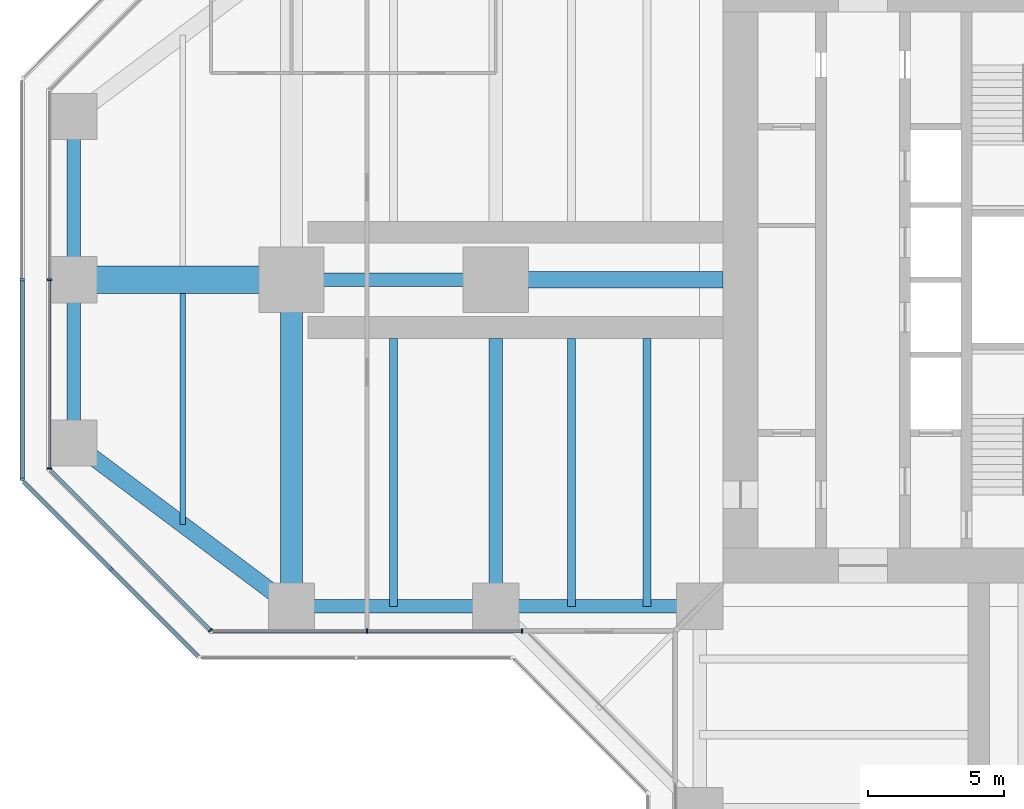
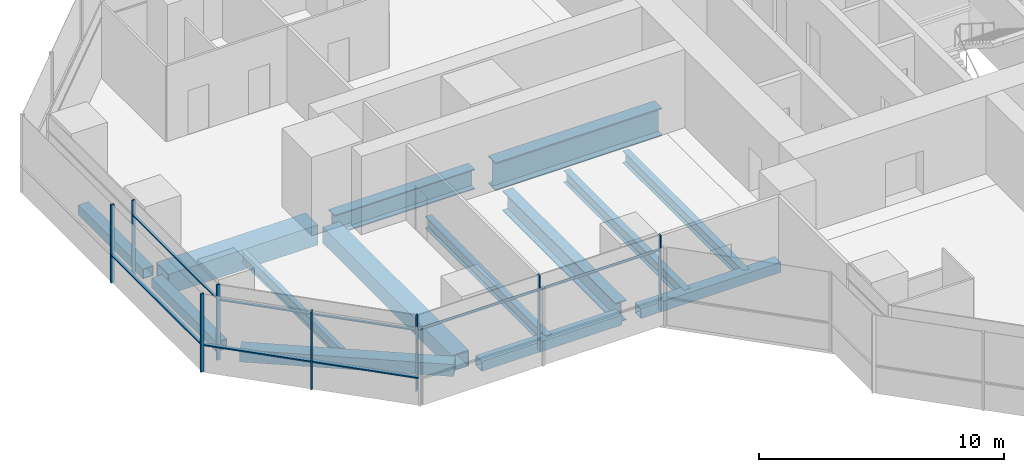
# One storey, part 3 of 19: 15 members, 14 beams, 5 elements without a shape of their own.
"""IFC4 building model written with IfcOpenShell, lengths in metres."""

from ifc_helpers import new_model, si_unit, direction, frame, origin, origin_2d, place, context, subcontext, project, spatial, rectangle, hollow_rectangle, i_section, extrude, material, material_profile, profile_set, type_object, element, aggregate, save


model = new_model("IFC4")

# Units and contexts
model_context = context("Model", 3, precision=1e-05, world=origin(), true_north=direction((0.0, 1.0)))
body_context = subcontext(model_context, "Body", "Model", "MODEL_VIEW")
ifc_project = project(units=[si_unit("LENGTHUNIT", "METRE"), si_unit("AREAUNIT", "SQUARE_METRE"), si_unit("VOLUMEUNIT", "CUBIC_METRE"), si_unit("PLANEANGLEUNIT", "RADIAN"), si_unit("MASSUNIT", "GRAM", prefix="KILO")], contexts=[model_context])

# Site, building, storey
site_placement = place(None, origin())
site = spatial("IfcSite", under=ifc_project, at=site_placement, CompositionType="ELEMENT")
building_placement = place(site_placement, origin())
building = spatial("IfcBuilding", under=site, at=building_placement, Name="Mizan Broadcast Tower", CompositionType="ELEMENT")
storey_placement = place(building_placement, frame((0.0, 0.0, 159.300048828125)))
storey = spatial("IfcBuildingStorey", under=building, at=storey_placement, Name="L36", CompositionType="ELEMENT", Elevation=159.300048828125)

# Beams
ifc_material_1 = material(Name="Steel S355", Category="steel")
ifc_material_profile_1 = material_profile(ifc_material_1, hollow_rectangle(XDim=0.5, YDim=0.5, WallThickness=0.030029296875, at=origin_2d()), Name="BOX 500x500x30")
ifc_profile_set_1 = profile_set([ifc_material_profile_1], Name="Steel S355")
beam_type_1 = type_object("IfcBeamType", Name="EDGE BEAM BOX 500x500x30", PredefinedType="SPANDREL", material=ifc_profile_set_1)
beam_1_placement = place(storey_placement, frame((-35.0, 5.639892578125, -0.380126953125), z_axis=(0.0, -1.0, 0.0), x_axis=(1.0, 0.0, 0.0)))
element("IfcBeam", 1, at=beam_1_placement, inside=storey, type_object=beam_type_1, Name="Edge beam BOX 500x500x30 L36 west arm", PredefinedType="SPANDREL", context=body_context, shape_type="SweptSolid", body=[
    extrude(hollow_rectangle(XDim=0.5, YDim=0.5, WallThickness=0.030029296875, at=origin_2d()), origin(), (0.0, 0.0, 1.0), 5.27978515625),
])
for number, where, z_axis, x_axis, name in (
    (2, (-12.449951171875, -12.0, -0.380126953125), (-1.0, 0.0, 0.0), (0.0, -1.0, 0.0), "Edge beam BOX 500x500x30 L36 west arm"),
    (3, (-19.949951171875, -12.0, -0.380126953125), (-1.0, 0.0, 0.0), (0.0, -1.0, 0.0), "Edge beam BOX 500x500x30 L36 west arm"),
):
    element("IfcBeam", number, at=place(storey_placement, frame(where, z_axis=z_axis, x_axis=x_axis)), inside=storey, type_object=beam_type_1, Name=name, PredefinedType="SPANDREL", context=body_context, shape_type="SweptSolid", body=[
        extrude(hollow_rectangle(XDim=0.5, YDim=0.5, WallThickness=0.030029296875, at=origin_2d()), origin(), (0.0, 0.0, 1.0), 6.60009765625),
    ])
beam_2_placement = place(storey_placement, frame((-35.0, -5.639892578125, -0.380126953125), z_axis=(0.0, 1.0, 0.0), x_axis=(-1.0, 0.0, 0.0)))
element("IfcBeam", 4, at=beam_2_placement, inside=storey, type_object=beam_type_1, Name="Edge beam BOX 500x500x30 L36 west arm", PredefinedType="SPANDREL", context=body_context, shape_type="SweptSolid", body=[
    extrude(hollow_rectangle(XDim=0.5, YDim=0.5, WallThickness=0.030029296875, at=origin_2d()), origin(), (0.0, 0.0, 1.0), 5.27978515625),
])
ifc_material_2 = material(Name="Steel S355", Category="steel")
ifc_material_profile_2 = material_profile(ifc_material_2, hollow_rectangle(XDim=0.60009765625, YDim=0.60009765625, WallThickness=0.030029296875, at=origin_2d()), Name="BOX 600x600x30")
ifc_profile_set_2 = profile_set([ifc_material_profile_2], Name="Steel S355")
beam_type_2 = type_object("IfcBeamType", Name="EDGE BEAM BOX 600x600x30", PredefinedType="SPANDREL", material=ifc_profile_set_2)
beam_3_placement = place(storey_placement, frame((-27.47998046875, -11.639892578125, -0.429931640625), z_axis=(-0.800013316712, 0.599982243973, 0.0), x_axis=(-0.599982243973, -0.800013316712, 0.0)))
element("IfcBeam", 5, at=beam_3_placement, inside=storey, type_object=beam_type_2, Name="Edge beam BOX 600x600x30 L36 west arm", PredefinedType="SPANDREL", context=body_context, shape_type="SweptSolid", body=[
    extrude(hollow_rectangle(XDim=0.60009765625, YDim=0.60009765625, WallThickness=0.030029296875, at=origin_2d()), origin(), (0.0, 0.0, 1.0), 8.7998046875),
])
ifc_material_3 = material(Name="Steel S460", Category="steel")
ifc_material_profile_3 = material_profile(ifc_material_3, hollow_rectangle(XDim=1.0, YDim=1.0, WallThickness=0.06005859375, at=origin_2d()), Name="BOX 1000x1000x60")
ifc_profile_set_3 = profile_set([ifc_material_profile_3], Name="Steel S460")
beam_type_3 = type_object("IfcBeamType", Name="GIRDER BOX 1000x1000x60", PredefinedType="BEAM", material=ifc_profile_set_3)
beam_4_placement = place(storey_placement, frame((-27.47998046875, 0.0, -0.630126953125), z_axis=(-1.0, 0.0, 0.0), x_axis=(0.0, -1.0, 0.0)))
element("IfcBeam", 6, at=beam_4_placement, inside=storey, type_object=beam_type_3, Name="Girder BOX 1000x1000x60 L36 west arm", PredefinedType="BEAM", context=body_context, shape_type="SweptSolid", body=[
    extrude(hollow_rectangle(XDim=1.0, YDim=1.0, WallThickness=0.06005859375, at=origin_2d()), origin(), (0.0, 0.0, 1.0), 7.0400390625),
])
ifc_material_4 = material(Name="Steel S460", Category="steel")
ifc_material_profile_4 = material_profile(ifc_material_4, hollow_rectangle(XDim=0.800048828125, YDim=0.800048828125, WallThickness=0.050048828125, at=origin_2d()), Name="BOX 800x800x50")
ifc_profile_set_4 = profile_set([ifc_material_profile_4], Name="Steel S460")
beam_type_4 = type_object("IfcBeamType", Name="GIRDER BOX 800x800x50", PredefinedType="BEAM", material=ifc_profile_set_4)
beam_5_placement = place(storey_placement, frame((-27.0, -11.280029296875, -0.530029296875), z_axis=(0.0, 1.0, 0.0), x_axis=(-1.0, 0.0, 0.0)))
element("IfcBeam", 7, at=beam_5_placement, inside=storey, type_object=beam_type_4, Name="Girder BOX 800x800x50 L36 west arm", PredefinedType="BEAM", context=body_context, shape_type="SweptSolid", body=[
    extrude(hollow_rectangle(XDim=0.800048828125, YDim=0.800048828125, WallThickness=0.050048828125, at=origin_2d()), origin(), (0.0, 0.0, 1.0), 10.56005859375),
])
ifc_material_5 = material(Name="Steel S460", Category="steel")
ifc_material_profile_5 = material_profile(ifc_material_5, i_section(OverallWidth=0.5, OverallDepth=1.0, WebThickness=0.02490234375, FlangeThickness=0.050048828125, at=origin_2d()), Name="WPG 1000x500")
ifc_profile_set_5 = profile_set([ifc_material_profile_5], Name="Steel S460")
beam_type_5 = type_object("IfcBeamType", Name="GIRDER WPG 1000x500", PredefinedType="BEAM", material=ifc_profile_set_5)
beam_6_placement = place(storey_placement, frame((-19.949951171875, 0.0, -0.630126953125), z_axis=(-1.0, 0.0, 0.0), x_axis=(0.0, -1.0, 0.0)))
element("IfcBeam", 8, at=beam_6_placement, inside=storey, type_object=beam_type_5, Name="Girder WPG 1000x500 L36 west arm", PredefinedType="BEAM", context=body_context, shape_type="SweptSolid", body=[
    extrude(i_section(OverallWidth=0.5, OverallDepth=1.0, WebThickness=0.02490234375, FlangeThickness=0.050048828125, at=origin_2d()), origin(), (0.0, 0.0, 1.0), 6.60009765625),
])
beam_7_placement = place(storey_placement, frame((-19.5, -11.408935546875, -0.630126953125), z_axis=(0.0, 1.0, 0.0), x_axis=(-1.0, 0.0, 0.0)))
element("IfcBeam", 9, at=beam_7_placement, inside=storey, type_object=beam_type_5, Name="Girder WPG 1000x500 L36 west arm", PredefinedType="BEAM", context=body_context, shape_type="SweptSolid", body=[
    extrude(i_section(OverallWidth=0.5, OverallDepth=1.0, WebThickness=0.02490234375, FlangeThickness=0.050048828125, at=origin_2d()), origin(), (0.0, 0.0, 1.0), 9.259033203125),
])
ifc_material_6 = material(Name="Steel S460", Category="steel")
ifc_material_profile_6 = material_profile(ifc_material_6, i_section(OverallWidth=0.60009765625, OverallDepth=1.39990234375, WebThickness=0.02490234375, FlangeThickness=0.06005859375, at=origin_2d()), Name="WPG 1400x600")
ifc_profile_set_6 = profile_set([ifc_material_profile_6], Name="Steel S460")
beam_type_6 = type_object("IfcBeamType", Name="GIRDER WPG 1400x600", PredefinedType="BEAM", material=ifc_profile_set_6)
beam_8_placement = place(storey_placement, frame((-11.14990234375, 0.0, -0.830078125), z_axis=(-1.0, 0.0, 0.0), x_axis=(0.0, -1.0, 0.0)))
element("IfcBeam", 10, at=beam_8_placement, inside=storey, type_object=beam_type_6, Name="Girder WPG 1400x600 L36 west arm", PredefinedType="BEAM", context=body_context, shape_type="SweptSolid", body=[
    extrude(i_section(OverallWidth=0.60009765625, OverallDepth=1.39990234375, WebThickness=0.02490234375, FlangeThickness=0.06005859375, at=origin_2d()), origin(), (0.0, 0.0, 1.0), 7.84912109375),
])

# Curtain wall, members
ifc_material_7 = material(Name="Aluminium framed glazing", Category="aluminium")
curtain_wall_type_1 = type_object("IfcCurtainWallType", Name="INNER SKIN MID ZONE", PredefinedType="USERDEFINED", material=ifc_material_7)
curtain_wall_1_placement = place(storey_placement, origin())
curtain_wall_1 = element("IfcCurtainWall", 11, at=curtain_wall_1_placement, inside=storey, type_object=curtain_wall_type_1, Name="Inner skin mid zone L36 W end", ObjectType="INNER SKIN MID ZONE", PredefinedType="USERDEFINED")
ifc_material_8 = material(Name="Aluminium, pale anodised", Category="aluminium")
ifc_material_profile_7 = material_profile(ifc_material_8, rectangle(XDim=0.159912109375, YDim=0.06005859375, at=origin_2d()), Name="MULLION 160x60")
ifc_profile_set_7 = profile_set([ifc_material_profile_7], Name="Aluminium, pale anodised")
member_type_1 = type_object("IfcMemberType", Name="INNER SKIN MULLION 60x160", PredefinedType="MULLION", material=ifc_profile_set_7)
member_1_placement = place(storey_placement, frame((-35.89990234375, 0.0, 0.0), z_axis=(0.0, 0.0, 1.0), x_axis=(1.0, 0.0, 0.0)))
member_1 = element("IfcMember", 12, at=member_1_placement, type_object=member_type_1, Name="Inner skin mid zone L36 W end mullion 2", PredefinedType="MULLION", context=body_context, shape_type="SweptSolid", body=[
    extrude(rectangle(XDim=0.159912109375, YDim=0.06005859375, at=origin_2d()), origin(), (0.0, 0.0, 1.0), 3.77001953125),
])
member_2_placement = place(storey_placement, frame((-35.89990234375, -6.928466796875, 0.0), z_axis=(0.0, 0.0, 1.0), x_axis=(1.0, 0.0, 0.0)))
member_2 = element("IfcMember", 13, at=member_2_placement, type_object=member_type_1, Name="Inner skin mid zone L36 W end mullion 3", PredefinedType="MULLION", context=body_context, shape_type="SweptSolid", body=[
    extrude(rectangle(XDim=0.159912109375, YDim=0.06005859375, at=origin_2d()), origin(), (0.0, 0.0, 1.0), 3.77001953125),
])

# Curtain wall, member
curtain_wall_2_placement = place(storey_placement, origin())
curtain_wall_2 = element("IfcCurtainWall", 14, at=curtain_wall_2_placement, inside=storey, type_object=curtain_wall_type_1, Name="Inner skin mid zone L36 W chamfer", ObjectType="INNER SKIN MID ZONE", PredefinedType="USERDEFINED")
member_3_placement = place(storey_placement, frame((-29.979736328125, -12.87890625, 0.0), z_axis=(0.0, 0.0, 1.0), x_axis=(0.707106781187, 0.707106781187, 0.0)))
member_3 = element("IfcMember", 15, at=member_3_placement, type_object=member_type_1, Name="Inner skin mid zone L36 W chamfer mullion 2", PredefinedType="MULLION", context=body_context, shape_type="SweptSolid", body=[
    extrude(rectangle(XDim=0.159912109375, YDim=0.06005859375, at=origin_2d()), origin(), (0.0, 0.0, 1.0), 3.77001953125),
])

# Curtain wall, members
curtain_wall_3_placement = place(storey_placement, origin())
curtain_wall_3 = element("IfcCurtainWall", 16, at=curtain_wall_3_placement, inside=storey, type_object=curtain_wall_type_1, Name="Inner skin mid zone L36 W side", ObjectType="INNER SKIN MID ZONE", PredefinedType="USERDEFINED")
member_4_placement = place(storey_placement, frame((-24.229248046875, -12.89990234375, 0.0), z_axis=(0.0, 0.0, 1.0), x_axis=(0.0, 1.0, 0.0)))
member_4 = element("IfcMember", 17, at=member_4_placement, type_object=member_type_1, Name="Inner skin mid zone L36 W side mullion 2", PredefinedType="MULLION", context=body_context, shape_type="SweptSolid", body=[
    extrude(rectangle(XDim=0.159912109375, YDim=0.06005859375, at=origin_2d()), origin(), (0.0, 0.0, 1.0), 3.77001953125),
])
member_5_placement = place(storey_placement, frame((-18.530029296875, -12.89990234375, 0.0), z_axis=(0.0, 0.0, 1.0), x_axis=(0.0, 1.0, 0.0)))
member_5 = element("IfcMember", 18, at=member_5_placement, type_object=member_type_1, Name="Inner skin mid zone L36 W side mullion 3", PredefinedType="MULLION", context=body_context, shape_type="SweptSolid", body=[
    extrude(rectangle(XDim=0.159912109375, YDim=0.06005859375, at=origin_2d()), origin(), (0.0, 0.0, 1.0), 3.77001953125),
])

# Member
ifc_material_9 = material(Name="Aluminium, pale anodised", Category="aluminium")
ifc_material_profile_8 = material_profile(ifc_material_9, rectangle(XDim=0.1201171875, YDim=0.06005859375, at=origin_2d()), Name="TRANSOM 120x60")
ifc_profile_set_8 = profile_set([ifc_material_profile_8], Name="Aluminium, pale anodised")
member_type_2 = type_object("IfcMemberType", Name="INNER SKIN TRANSOM 60x120", PredefinedType="USERDEFINED", material=ifc_profile_set_8)
member_6_placement = place(storey_placement, frame((-35.89990234375, -0.030029296875, 3.030029296875), z_axis=(0.0, -1.0, 0.0), x_axis=(1.0, 0.0, 0.0)))
member_6 = element("IfcMember", 19, at=member_6_placement, type_object=member_type_2, Name="Inner skin mid zone L36 W end transom 2.1", ObjectType="TRANSOM", PredefinedType="USERDEFINED", context=body_context, shape_type="SweptSolid", body=[
    extrude(rectangle(XDim=0.1201171875, YDim=0.06005859375, at=origin_2d()), origin(), (0.0, 0.0, 1.0), 6.86865234375),
])

aggregate(curtain_wall_1, [member_1, member_2, member_6])

member_7_placement = place(storey_placement, frame((-35.857666015625, -7.0009765625, 3.030029296875), z_axis=(0.707106781187, -0.707106781187, 0.0), x_axis=(0.707106781187, 0.707106781187, 0.0)))
member_7 = element("IfcMember", 20, at=member_7_placement, type_object=member_type_2, Name="Inner skin mid zone L36 W chamfer transom 1.1", ObjectType="TRANSOM", PredefinedType="USERDEFINED", context=body_context, shape_type="SweptSolid", body=[
    extrude(rectangle(XDim=0.1201171875, YDim=0.06005859375, at=origin_2d()), origin(), (0.0, 0.0, 1.0), 8.28271484375),
])

aggregate(curtain_wall_2, [member_3, member_7])

member_8_placement = place(storey_placement, frame((-29.898681640625, -12.89990234375, 3.030029296875), z_axis=(1.0, 0.0, 0.0), x_axis=(0.0, 1.0, 0.0)))
member_8 = element("IfcMember", 21, at=member_8_placement, type_object=member_type_2, Name="Inner skin mid zone L36 W side transom 1.1", ObjectType="TRANSOM", PredefinedType="USERDEFINED", context=body_context, shape_type="SweptSolid", body=[
    extrude(rectangle(XDim=0.1201171875, YDim=0.06005859375, at=origin_2d()), origin(), (0.0, 0.0, 1.0), 5.639404296875),
])

member_9_placement = place(storey_placement, frame((-24.19921875, -12.89990234375, 3.030029296875), z_axis=(1.0, 0.0, 0.0), x_axis=(0.0, 1.0, 0.0)))
member_9 = element("IfcMember", 22, at=member_9_placement, type_object=member_type_2, Name="Inner skin mid zone L36 W side transom 2.1", ObjectType="TRANSOM", PredefinedType="USERDEFINED", context=body_context, shape_type="SweptSolid", body=[
    extrude(rectangle(XDim=0.1201171875, YDim=0.06005859375, at=origin_2d()), origin(), (0.0, 0.0, 1.0), 5.63916015625),
])

aggregate(curtain_wall_3, [member_4, member_5, member_8, member_9])

# Curtain wall, members
ifc_material_10 = material(Name="Aluminium framed glazing", Category="aluminium")
curtain_wall_type_2 = type_object("IfcCurtainWallType", Name="OUTER SKIN", PredefinedType="USERDEFINED", material=ifc_material_10)
curtain_wall_4_placement = place(storey_placement, origin())
curtain_wall_4 = element("IfcCurtainWall", 23, at=curtain_wall_4_placement, inside=storey, type_object=curtain_wall_type_2, Name="Outer skin L36 W end", ObjectType="OUTER SKIN", PredefinedType="USERDEFINED")
ifc_material_11 = material(Name="Aluminium, pale anodised", Category="aluminium")
ifc_material_profile_9 = material_profile(ifc_material_11, rectangle(XDim=0.159912109375, YDim=0.080078125, at=origin_2d()), Name="MULLION 160x80")
ifc_profile_set_9 = profile_set([ifc_material_profile_9], Name="Aluminium, pale anodised")
member_type_3 = type_object("IfcMemberType", Name="OUTER SKIN MULLION 80x160", PredefinedType="MULLION", material=ifc_profile_set_9)
member_10_placement = place(storey_placement, frame((-36.89990234375, 0.0, 0.0), z_axis=(0.0, 0.0, 1.0), x_axis=(1.0, 0.0, 0.0)))
member_10 = element("IfcMember", 24, at=member_10_placement, type_object=member_type_3, Name="Outer skin L36 W end mullion 2", PredefinedType="MULLION", context=body_context, shape_type="SweptSolid", body=[
    extrude(rectangle(XDim=0.159912109375, YDim=0.080078125, at=origin_2d()), origin(), (0.0, 0.0, 1.0), 3.89990234375),
])
member_11_placement = place(storey_placement, frame((-36.89990234375, -7.332763671875, 0.0), z_axis=(0.0, 0.0, 1.0), x_axis=(1.0, 0.0, 0.0)))
member_11 = element("IfcMember", 25, at=member_11_placement, type_object=member_type_3, Name="Outer skin L36 W end mullion 3", PredefinedType="MULLION", context=body_context, shape_type="SweptSolid", body=[
    extrude(rectangle(XDim=0.159912109375, YDim=0.080078125, at=origin_2d()), origin(), (0.0, 0.0, 1.0), 3.89990234375),
])

# Curtain wall, member
curtain_wall_5_placement = place(storey_placement, origin())
curtain_wall_5 = element("IfcCurtainWall", 26, at=curtain_wall_5_placement, inside=storey, type_object=curtain_wall_type_2, Name="Outer skin L36 W chamfer", ObjectType="OUTER SKIN", PredefinedType="USERDEFINED")
member_12_placement = place(storey_placement, frame((-33.636474609375, -10.636474609375, 0.0), z_axis=(0.0, 0.0, 1.0), x_axis=(0.707106781187, 0.707106781187, 0.0)))
member_12 = element("IfcMember", 27, at=member_12_placement, type_object=member_type_3, Name="Outer skin L36 W chamfer mullion 2", PredefinedType="MULLION", context=body_context, shape_type="SweptSolid", body=[
    extrude(rectangle(XDim=0.159912109375, YDim=0.080078125, at=origin_2d()), origin(), (0.0, 0.0, 1.0), 3.89990234375),
])

# Member
ifc_material_12 = material(Name="Aluminium, pale anodised", Category="aluminium")
ifc_material_profile_10 = material_profile(ifc_material_12, rectangle(XDim=0.159912109375, YDim=0.06005859375, at=origin_2d()), Name="TRANSOM 160x60")
ifc_profile_set_10 = profile_set([ifc_material_profile_10], Name="Aluminium, pale anodised")
member_type_4 = type_object("IfcMemberType", Name="OUTER SKIN TRANSOM 60x160", PredefinedType="USERDEFINED", material=ifc_profile_set_10)
member_13_placement = place(storey_placement, frame((-36.89990234375, -0.0400390625, 1.39990234375), z_axis=(0.0, -1.0, 0.0), x_axis=(1.0, 0.0, 0.0)))
member_13 = element("IfcMember", 28, at=member_13_placement, type_object=member_type_4, Name="Outer skin L36 W end transom 2.1", ObjectType="TRANSOM", PredefinedType="USERDEFINED", context=body_context, shape_type="SweptSolid", body=[
    extrude(rectangle(XDim=0.159912109375, YDim=0.06005859375, at=origin_2d()), origin(), (0.0, 0.0, 1.0), 7.252685546875),
])

aggregate(curtain_wall_4, [member_10, member_11, member_13])

member_14_placement = place(storey_placement, frame((-36.843505859375, -7.429443359375, 1.39990234375), z_axis=(0.707106781187, -0.707106781187, 0.0), x_axis=(0.707106781187, 0.707106781187, 0.0)))
member_14 = element("IfcMember", 29, at=member_14_placement, type_object=member_type_4, Name="Outer skin L36 W chamfer transom 1.1", ObjectType="TRANSOM", PredefinedType="USERDEFINED", context=body_context, shape_type="SweptSolid", body=[
    extrude(rectangle(XDim=0.159912109375, YDim=0.06005859375, at=origin_2d()), origin(), (0.0, 0.0, 1.0), 4.495361328125),
])

member_15_placement = place(storey_placement, frame((-33.608154296875, -10.664794921875, 1.39990234375), z_axis=(0.707106781187, -0.707106781187, 0.0), x_axis=(0.707106781187, 0.707106781187, 0.0)))
member_15 = element("IfcMember", 30, at=member_15_placement, type_object=member_type_4, Name="Outer skin L36 W chamfer transom 2.1", ObjectType="TRANSOM", PredefinedType="USERDEFINED", context=body_context, shape_type="SweptSolid", body=[
    extrude(rectangle(XDim=0.159912109375, YDim=0.06005859375, at=origin_2d()), origin(), (0.0, 0.0, 1.0), 4.495361328125),
])

aggregate(curtain_wall_5, [member_12, member_14, member_15])

# Beams
ifc_material_13 = material(Name="Steel S355", Category="steel")
ifc_material_profile_11 = material_profile(ifc_material_13, i_section(OverallWidth=0.300048828125, OverallDepth=0.590087890625, WebThickness=0.012939453125, FlangeThickness=0.02490234375, FilletRadius=0.027099609375, at=origin_2d()), Name="HEA 600")
ifc_profile_set_11 = profile_set([ifc_material_profile_11], Name="Steel S355")
beam_type_7 = type_object("IfcBeamType", Name="SECONDARY BEAM HEA 600", PredefinedType="JOIST", material=ifc_profile_set_11)
for number, where, z_axis, x_axis, name in (
    (31, (-13.933349609375, -12.0, -0.425048828125), (0.0, 1.0, 0.0), (-1.0, 0.0, 0.0), "Secondary beam HEA 600 L36 west arm"),
    (32, (-16.716552734375, -12.0, -0.425048828125), (0.0, 1.0, 0.0), (-1.0, 0.0, 0.0), "Secondary beam HEA 600 L36 west arm"),
    (33, (-23.25, -12.0, -0.425048828125), (0.0, 1.0, 0.0), (-1.0, 0.0, 0.0), "Secondary beam HEA 600 L36 west arm"),
):
    element("IfcBeam", number, at=place(storey_placement, frame(where, z_axis=z_axis, x_axis=x_axis)), inside=storey, type_object=beam_type_7, Name=name, PredefinedType="JOIST", context=body_context, shape_type="SweptSolid", body=[
        extrude(i_section(OverallWidth=0.300048828125, OverallDepth=0.590087890625, WebThickness=0.012939453125, FlangeThickness=0.02490234375, FilletRadius=0.027099609375, at=origin_2d()), origin(), (0.0, 0.0, 1.0), 9.85009765625),
    ])
ifc_material_14 = material(Name="Steel S355", Category="steel")
ifc_material_profile_12 = material_profile(ifc_material_14, i_section(OverallWidth=0.2099609375, OverallDepth=0.550048828125, WebThickness=0.010986328125, FlangeThickness=0.01708984375, FilletRadius=0.02392578125, at=origin_2d()), Name="IPE 550")
ifc_profile_set_12 = profile_set([ifc_material_profile_12], Name="Steel S355")
beam_type_8 = type_object("IfcBeamType", Name="SECONDARY BEAM IPE 550", PredefinedType="JOIST", material=ifc_profile_set_12)
beam_9_placement = place(storey_placement, frame((-31.0, -9.0, -0.405029296875), z_axis=(0.0, 1.0, 0.0), x_axis=(-1.0, 0.0, 0.0)))
element("IfcBeam", 34, at=beam_9_placement, inside=storey, type_object=beam_type_8, Name="Secondary beam IPE 550 L36 west arm", PredefinedType="JOIST", context=body_context, shape_type="SweptSolid", body=[
    extrude(i_section(OverallWidth=0.2099609375, OverallDepth=0.550048828125, WebThickness=0.010986328125, FlangeThickness=0.01708984375, FilletRadius=0.02392578125, at=origin_2d()), origin(), (0.0, 0.0, 1.0), 8.5),
])

save(model, "model.ifc")
